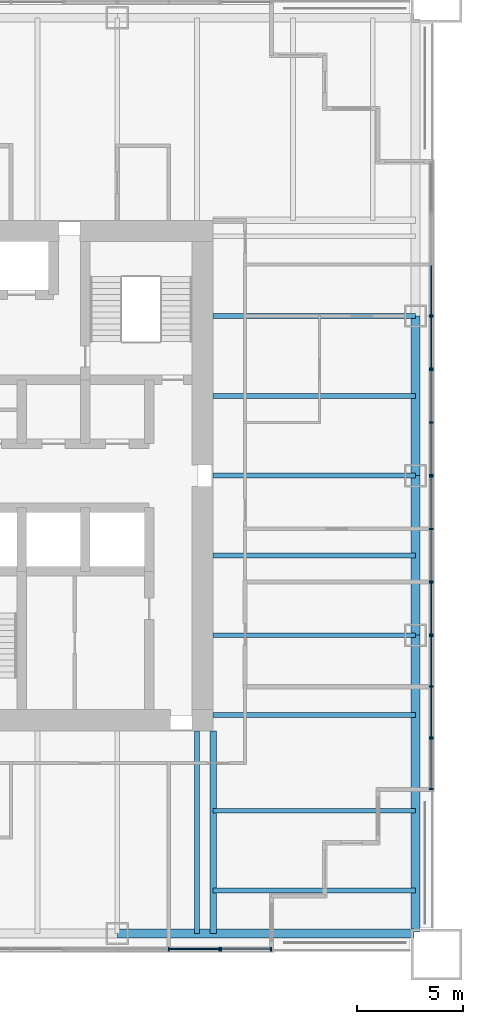
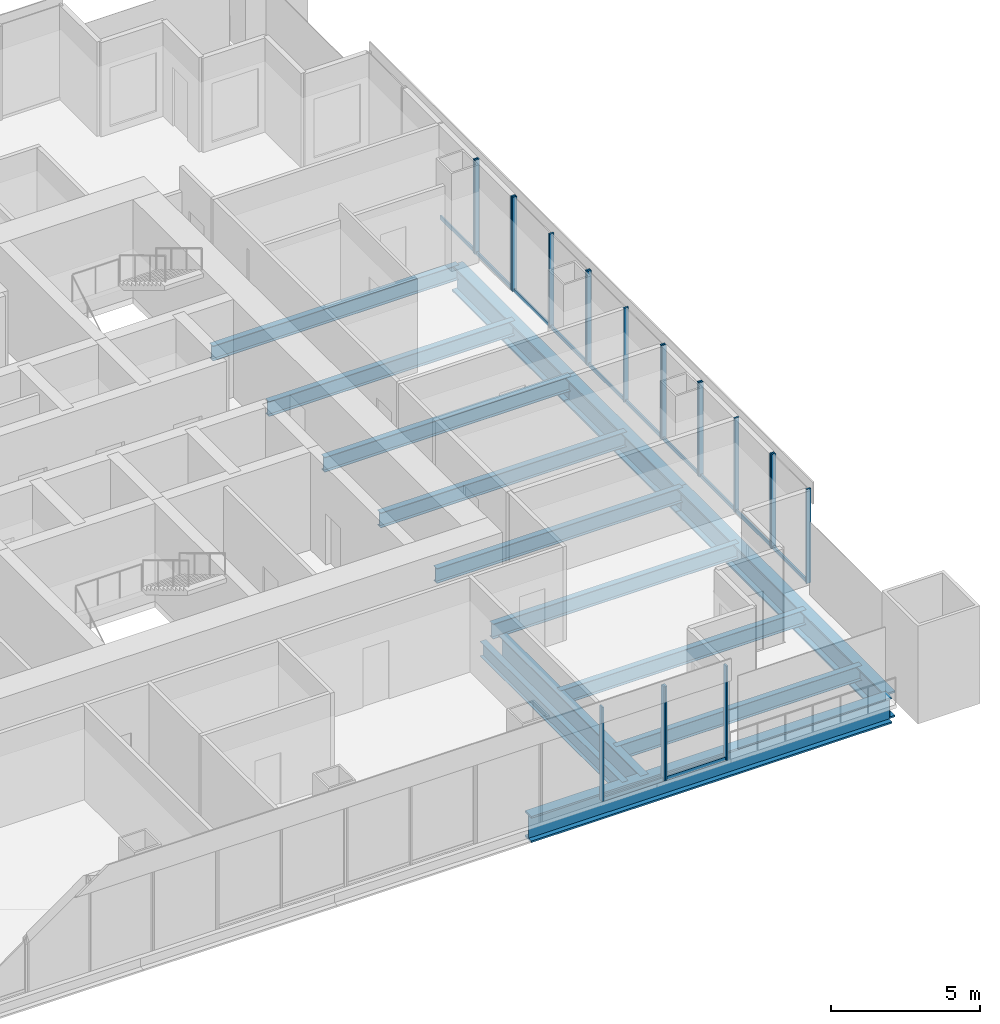
# One storey, part 4 of 13: 32 members, 14 beams, 9 elements without a shape of their own.
"""IFC4 building model written with IfcOpenShell, lengths in metres."""

from ifc_helpers import new_model, si_unit, direction, frame, origin, origin_2d, place, context, subcontext, project, spatial, rectangle, i_section, extrude, material, material_profile, profile_set, type_object, element, aggregate, save


model = new_model("IFC4")

# Units and contexts
model_context = context("Model", 3, precision=1e-05, world=origin(), true_north=direction((0.0, 1.0)))
body_context = subcontext(model_context, "Body", "Model", "MODEL_VIEW")
ifc_project = project(units=[si_unit("LENGTHUNIT", "METRE"), si_unit("AREAUNIT", "SQUARE_METRE"), si_unit("VOLUMEUNIT", "CUBIC_METRE"), si_unit("PLANEANGLEUNIT", "RADIAN"), si_unit("MASSUNIT", "GRAM", prefix="KILO")], contexts=[model_context])

# Site, building, storey
site_placement = place(None, origin())
site = spatial("IfcSite", under=ifc_project, at=site_placement, CompositionType="ELEMENT")
building_placement = place(site_placement, origin())
building = spatial("IfcBuilding", under=site, at=building_placement, Name="Tarangal Relay Tower", CompositionType="ELEMENT")
storey_placement = place(building_placement, frame((0.0, 0.0, 201.89990234375)))
storey = spatial("IfcBuildingStorey", under=building, at=storey_placement, Name="L42", CompositionType="ELEMENT", Elevation=201.89990234375)

# Beams
ifc_material_1 = material(Name="Steel ASTM A992", Category="steel")
ifc_material_profile_1 = material_profile(ifc_material_1, i_section(OverallWidth=0.227783203125, OverallDepth=0.60205078125, WebThickness=0.010498046875, FlangeThickness=0.014892578125, at=origin_2d()), Name="W24X68")
ifc_profile_set_1 = profile_set([ifc_material_profile_1], Name="Steel ASTM A992")
beam_type_1 = type_object("IfcBeamType", Name="Corner beam W24X68", PredefinedType="JOIST", material=ifc_profile_set_1)
for number, where, z_axis, x_axis, name in (
    (1, (12.0, -15.75, -0.450927734375), (1.0, 0.0, 0.0), (0.0, 1.0, 0.0), "Corner beam CB11 E L42"),
    (2, (12.0, -19.5, -0.450927734375), (1.0, 0.0, 0.0), (0.0, 1.0, 0.0), "Corner beam CB11 E L42"),
):
    element("IfcBeam", number, at=place(storey_placement, frame(where, z_axis=z_axis, x_axis=x_axis)), inside=storey, type_object=beam_type_1, Name=name, PredefinedType="JOIST", context=body_context, shape_type="SweptSolid", body=[
        extrude(i_section(OverallWidth=0.227783203125, OverallDepth=0.60205078125, WebThickness=0.010498046875, FlangeThickness=0.014892578125, at=origin_2d()), origin(), (0.0, 0.0, 1.0), 9.514892578125),
    ])
ifc_material_profile_2 = material_profile(ifc_material_1, i_section(OverallWidth=0.307373046875, OverallDepth=0.9423828125, WebThickness=0.022216796875, FlangeThickness=0.039794921875, at=origin_2d()), Name="W36X232")
ifc_profile_set_2 = profile_set([ifc_material_profile_2], Name="Steel ASTM A992")
beam_type_2 = type_object("IfcBeamType", Name="Corner girder W36X232", PredefinedType="BEAM", material=ifc_profile_set_2)
beam_placement = place(storey_placement, frame((12.0, -12.0, -0.62109375), z_axis=(0.0, -1.0, 0.0), x_axis=(1.0, 0.0, 0.0)))
element("IfcBeam", 3, at=beam_placement, inside=storey, type_object=beam_type_2, Name="Corner girder CG4 E L42", PredefinedType="BEAM", context=body_context, shape_type="SweptSolid", body=[
    extrude(i_section(OverallWidth=0.307373046875, OverallDepth=0.9423828125, WebThickness=0.022216796875, FlangeThickness=0.039794921875, at=origin_2d()), origin(), (0.0, 0.0, 1.0), 9.514892578125),
])
ifc_material_profile_3 = material_profile(ifc_material_1, i_section(OverallWidth=0.41650390625, OverallDepth=1.0693359375, WebThickness=0.0390625, FlangeThickness=0.070068359375, at=origin_2d()), Name="W40X503")
ifc_profile_set_3 = profile_set([ifc_material_profile_3], Name="Steel ASTM A992")
beam_type_3 = type_object("IfcBeamType", Name="Edge girder W40X503", PredefinedType="SPANDREL", material=ifc_profile_set_3)
for number, where, z_axis, x_axis, name in (
    (4, (21.514892578125, 7.5, -0.6845703125), (0.0, -1.0, 0.0), (1.0, 0.0, 0.0), "Edge girder EG8 E L42"),
    (5, (21.514892578125, 0.0, -0.6845703125), (0.0, -1.0, 0.0), (1.0, 0.0, 0.0), "Edge girder EG8 E L42"),
):
    element("IfcBeam", number, at=place(storey_placement, frame(where, z_axis=z_axis, x_axis=x_axis)), inside=storey, type_object=beam_type_3, Name=name, PredefinedType="SPANDREL", context=body_context, shape_type="SweptSolid", body=[
        extrude(i_section(OverallWidth=0.41650390625, OverallDepth=1.0693359375, WebThickness=0.0390625, FlangeThickness=0.070068359375, at=origin_2d()), origin(), (0.0, 0.0, 1.0), 7.5),
    ])
for number, where, z_axis, x_axis, name in (
    (6, (21.514892578125, -7.5, -0.6845703125), (0.0, -1.0, 0.0), (1.0, 0.0, 0.0), "Edge girder EG8 E L42"),
    (7, (21.449951171875, -21.514892578125, -0.6845703125), (-1.0, 0.0, 0.0), (0.0, -1.0, 0.0), "Edge girder EG8 S L42"),
):
    element("IfcBeam", number, at=place(storey_placement, frame(where, z_axis=z_axis, x_axis=x_axis)), inside=storey, type_object=beam_type_3, Name=name, PredefinedType="SPANDREL", context=body_context, shape_type="SweptSolid", body=[
        extrude(i_section(OverallWidth=0.41650390625, OverallDepth=1.0693359375, WebThickness=0.0390625, FlangeThickness=0.070068359375, at=origin_2d()), origin(), (0.0, 0.0, 1.0), 13.949951171875),
    ])
ifc_material_profile_4 = material_profile(ifc_material_1, i_section(OverallWidth=0.22900390625, OverallDepth=0.612060546875, WebThickness=0.011962890625, FlangeThickness=0.01953125, at=origin_2d()), Name="W24X84")
ifc_profile_set_4 = profile_set([ifc_material_profile_4], Name="Steel ASTM A992")
beam_type_4 = type_object("IfcBeamType", Name="Floor beam W24X84", PredefinedType="BEAM", material=ifc_profile_set_4)
for number, where, z_axis, x_axis, name in (
    (8, (12.0, 7.5, -0.455810546875), (1.0, 0.0, 0.0), (0.0, 1.0, 0.0), "Floor beam RB12 E L42"),
    (9, (12.0, 3.75, -0.455810546875), (1.0, 0.0, 0.0), (0.0, 1.0, 0.0), "Floor beam RB12 E L42"),
    (10, (12.0, 0.0, -0.455810546875), (1.0, 0.0, 0.0), (0.0, 1.0, 0.0), "Floor beam RB12 E L42"),
    (11, (12.0, -3.75, -0.455810546875), (1.0, 0.0, 0.0), (0.0, 1.0, 0.0), "Floor beam RB12 E L42"),
    (12, (12.0, -7.5, -0.455810546875), (1.0, 0.0, 0.0), (0.0, 1.0, 0.0), "Floor beam RB12 E L42"),
    (13, (12.0, -11.25, -0.455810546875), (1.0, 0.0, 0.0), (0.0, 1.0, 0.0), "Floor beam RB12 E L42"),
    (14, (11.25, -12.0, -0.455810546875), (0.0, -1.0, 0.0), (1.0, 0.0, 0.0), "Floor beam RB12 S L42"),
):
    element("IfcBeam", number, at=place(storey_placement, frame(where, z_axis=z_axis, x_axis=x_axis)), inside=storey, type_object=beam_type_4, Name=name, PredefinedType="BEAM", context=body_context, shape_type="SweptSolid", body=[
        extrude(i_section(OverallWidth=0.22900390625, OverallDepth=0.612060546875, WebThickness=0.011962890625, FlangeThickness=0.01953125, at=origin_2d()), origin(), (0.0, 0.0, 1.0), 9.514892578125),
    ])

# Curtain wall, members
ifc_material_2 = material(Name="Unitised curtain wall, dark glass and black aluminium", Category="aluminium")
curtain_wall_type_1 = type_object("IfcCurtainWallType", Name="Curtain wall CW-A", PredefinedType="USERDEFINED", material=ifc_material_2)
curtain_wall_1_placement = place(storey_placement, origin())
curtain_wall_1 = element("IfcCurtainWall", 15, at=curtain_wall_1_placement, inside=storey, type_object=curtain_wall_type_1, Name="Curtain wall CW-A E facade L42", ObjectType="UNITISED CURTAIN WALL", PredefinedType="USERDEFINED")
ifc_material_3 = material(Name="Black anodised aluminium mullion", Category="aluminium")
ifc_material_profile_5 = material_profile(ifc_material_3, rectangle(XDim=0.175048828125, YDim=0.06494140625, at=origin_2d()), Name="CW-AM 65X175")
ifc_profile_set_5 = profile_set([ifc_material_profile_5], Name="Black anodised aluminium mullion")
member_type_1 = type_object("IfcMemberType", Name="Mullion CW-A 65 x 175", PredefinedType="MULLION", material=ifc_profile_set_5)
member_1_placement = place(storey_placement, frame((22.25, 4.967529296875, 0.0), z_axis=(0.0, 0.0, 1.0), x_axis=(1.0, 0.0, 0.0)))
member_1 = element("IfcMember", 16, at=member_1_placement, type_object=member_type_1, Name="CW-A mullion 1", PredefinedType="MULLION", context=body_context, shape_type="SweptSolid", body=[
    extrude(rectangle(XDim=0.175048828125, YDim=0.06494140625, at=origin_2d()), origin(), (0.0, 0.0, 1.0), 3.85009765625),
])
member_2_placement = place(storey_placement, frame((22.25, 2.5, 0.0), z_axis=(0.0, 0.0, 1.0), x_axis=(1.0, 0.0, 0.0)))
member_2 = element("IfcMember", 17, at=member_2_placement, type_object=member_type_1, Name="CW-A mullion 2", PredefinedType="MULLION", context=body_context, shape_type="SweptSolid", body=[
    extrude(rectangle(XDim=0.175048828125, YDim=0.06494140625, at=origin_2d()), origin(), (0.0, 0.0, 1.0), 3.85009765625),
])
member_3_placement = place(storey_placement, frame((22.25, 0.032470703125, 0.0), z_axis=(0.0, 0.0, 1.0), x_axis=(1.0, 0.0, 0.0)))
member_3 = element("IfcMember", 18, at=member_3_placement, type_object=member_type_1, Name="CW-A mullion 3", PredefinedType="MULLION", context=body_context, shape_type="SweptSolid", body=[
    extrude(rectangle(XDim=0.175048828125, YDim=0.06494140625, at=origin_2d()), origin(), (0.0, 0.0, 1.0), 3.85009765625),
])

curtain_wall_2_placement = place(storey_placement, origin())
curtain_wall_2 = element("IfcCurtainWall", 19, at=curtain_wall_2_placement, inside=storey, type_object=curtain_wall_type_1, Name="Curtain wall CW-A E facade L42", ObjectType="UNITISED CURTAIN WALL", PredefinedType="USERDEFINED")
member_4_placement = place(storey_placement, frame((22.25, -0.032470703125, 0.0), z_axis=(0.0, 0.0, 1.0), x_axis=(1.0, 0.0, 0.0)))
member_4 = element("IfcMember", 20, at=member_4_placement, type_object=member_type_1, Name="CW-A mullion 1", PredefinedType="MULLION", context=body_context, shape_type="SweptSolid", body=[
    extrude(rectangle(XDim=0.175048828125, YDim=0.06494140625, at=origin_2d()), origin(), (0.0, 0.0, 1.0), 3.85009765625),
])
member_5_placement = place(storey_placement, frame((22.25, -2.5, 0.0), z_axis=(0.0, 0.0, 1.0), x_axis=(1.0, 0.0, 0.0)))
member_5 = element("IfcMember", 21, at=member_5_placement, type_object=member_type_1, Name="CW-A mullion 2", PredefinedType="MULLION", context=body_context, shape_type="SweptSolid", body=[
    extrude(rectangle(XDim=0.175048828125, YDim=0.06494140625, at=origin_2d()), origin(), (0.0, 0.0, 1.0), 3.85009765625),
])
member_6_placement = place(storey_placement, frame((22.25, -4.967529296875, 0.0), z_axis=(0.0, 0.0, 1.0), x_axis=(1.0, 0.0, 0.0)))
member_6 = element("IfcMember", 22, at=member_6_placement, type_object=member_type_1, Name="CW-A mullion 3", PredefinedType="MULLION", context=body_context, shape_type="SweptSolid", body=[
    extrude(rectangle(XDim=0.175048828125, YDim=0.06494140625, at=origin_2d()), origin(), (0.0, 0.0, 1.0), 3.85009765625),
])

curtain_wall_3_placement = place(storey_placement, origin())
curtain_wall_3 = element("IfcCurtainWall", 23, at=curtain_wall_3_placement, inside=storey, type_object=curtain_wall_type_1, Name="Curtain wall CW-A E facade L42", ObjectType="UNITISED CURTAIN WALL", PredefinedType="USERDEFINED")
member_7_placement = place(storey_placement, frame((22.25, -12.36572265625, 0.0), z_axis=(0.0, 0.0, 1.0), x_axis=(1.0, 0.0, 0.0)))
member_7 = element("IfcMember", 24, at=member_7_placement, type_object=member_type_1, Name="CW-A mullion 1", PredefinedType="MULLION", context=body_context, shape_type="SweptSolid", body=[
    extrude(rectangle(XDim=0.175048828125, YDim=0.06494140625, at=origin_2d()), origin(), (0.0, 0.0, 1.0), 3.85009765625),
])
member_8_placement = place(storey_placement, frame((22.25, -14.717529296875, 0.0), z_axis=(0.0, 0.0, 1.0), x_axis=(1.0, 0.0, 0.0)))
member_8 = element("IfcMember", 25, at=member_8_placement, type_object=member_type_1, Name="CW-A mullion 2", PredefinedType="MULLION", context=body_context, shape_type="SweptSolid", body=[
    extrude(rectangle(XDim=0.175048828125, YDim=0.06494140625, at=origin_2d()), origin(), (0.0, 0.0, 1.0), 3.85009765625),
])

curtain_wall_4_placement = place(storey_placement, origin())
curtain_wall_4 = element("IfcCurtainWall", 26, at=curtain_wall_4_placement, inside=storey, type_object=curtain_wall_type_1, Name="Curtain wall CW-A S facade L42", ObjectType="UNITISED CURTAIN WALL", PredefinedType="USERDEFINED")
member_9_placement = place(storey_placement, frame((14.717529296875, -22.25, 0.0), z_axis=(0.0, 0.0, 1.0), x_axis=(0.0, -1.0, 0.0)))
member_9 = element("IfcMember", 27, at=member_9_placement, type_object=member_type_1, Name="CW-A mullion 1", PredefinedType="MULLION", context=body_context, shape_type="SweptSolid", body=[
    extrude(rectangle(XDim=0.175048828125, YDim=0.06494140625, at=origin_2d()), origin(), (0.0, 0.0, 1.0), 3.85009765625),
])
member_10_placement = place(storey_placement, frame((12.36572265625, -22.25, 0.0), z_axis=(0.0, 0.0, 1.0), x_axis=(0.0, -1.0, 0.0)))
member_10 = element("IfcMember", 28, at=member_10_placement, type_object=member_type_1, Name="CW-A mullion 2", PredefinedType="MULLION", context=body_context, shape_type="SweptSolid", body=[
    extrude(rectangle(XDim=0.175048828125, YDim=0.06494140625, at=origin_2d()), origin(), (0.0, 0.0, 1.0), 3.85009765625),
])

# Curtain wall, member
ifc_material_4 = material(Name="Unitised curtain wall frame, black aluminium, with metal clad infill walls", Category="aluminium")
curtain_wall_type_2 = type_object("IfcCurtainWallType", Name="Curtain wall CW-AO", PredefinedType="USERDEFINED", material=ifc_material_4)
curtain_wall_5_placement = place(storey_placement, origin())
curtain_wall_5 = element("IfcCurtainWall", 29, at=curtain_wall_5_placement, inside=storey, type_object=curtain_wall_type_2, Name="Curtain wall CW-AO E facade L42", ObjectType="UNITISED CURTAIN WALL", PredefinedType="USERDEFINED")
ifc_material_profile_6 = material_profile(ifc_material_3, rectangle(XDim=0.175048828125, YDim=0.06494140625, at=origin_2d()), Name="CW-AOM 65X175")
ifc_profile_set_6 = profile_set([ifc_material_profile_6], Name="Black anodised aluminium mullion")
member_type_2 = type_object("IfcMemberType", Name="Mullion CW-AO 65 x 175", PredefinedType="MULLION", material=ifc_profile_set_6)
member_11_placement = place(storey_placement, frame((22.25, 7.532470703125, 0.0), z_axis=(0.0, 0.0, 1.0), x_axis=(1.0, 0.0, 0.0)))
member_11 = element("IfcMember", 30, at=member_11_placement, type_object=member_type_2, Name="CW-AO mullion 3", PredefinedType="MULLION", context=body_context, shape_type="SweptSolid", body=[
    extrude(rectangle(XDim=0.175048828125, YDim=0.06494140625, at=origin_2d()), origin(), (0.0, 0.0, 1.0), 3.85009765625),
])

# Curtain wall, members
curtain_wall_6_placement = place(storey_placement, origin())
curtain_wall_6 = element("IfcCurtainWall", 31, at=curtain_wall_6_placement, inside=storey, type_object=curtain_wall_type_2, Name="Curtain wall CW-AO E facade L42", ObjectType="UNITISED CURTAIN WALL", PredefinedType="USERDEFINED")
member_12_placement = place(storey_placement, frame((22.25, 7.467529296875, 0.0), z_axis=(0.0, 0.0, 1.0), x_axis=(1.0, 0.0, 0.0)))
member_12 = element("IfcMember", 32, at=member_12_placement, type_object=member_type_2, Name="CW-AO mullion 1", PredefinedType="MULLION", context=body_context, shape_type="SweptSolid", body=[
    extrude(rectangle(XDim=0.175048828125, YDim=0.06494140625, at=origin_2d()), origin(), (0.0, 0.0, 1.0), 3.85009765625),
])
member_13_placement = place(storey_placement, frame((22.25, 5.032470703125, 0.0), z_axis=(0.0, 0.0, 1.0), x_axis=(1.0, 0.0, 0.0)))
member_13 = element("IfcMember", 33, at=member_13_placement, type_object=member_type_2, Name="CW-AO mullion 2", PredefinedType="MULLION", context=body_context, shape_type="SweptSolid", body=[
    extrude(rectangle(XDim=0.175048828125, YDim=0.06494140625, at=origin_2d()), origin(), (0.0, 0.0, 1.0), 3.85009765625),
])

curtain_wall_7_placement = place(storey_placement, origin())
curtain_wall_7 = element("IfcCurtainWall", 34, at=curtain_wall_7_placement, inside=storey, type_object=curtain_wall_type_2, Name="Curtain wall CW-AO E facade L42", ObjectType="UNITISED CURTAIN WALL", PredefinedType="USERDEFINED")
member_14_placement = place(storey_placement, frame((22.25, -5.032470703125, 0.0), z_axis=(0.0, 0.0, 1.0), x_axis=(1.0, 0.0, 0.0)))
member_14 = element("IfcMember", 35, at=member_14_placement, type_object=member_type_2, Name="CW-AO mullion 1", PredefinedType="MULLION", context=body_context, shape_type="SweptSolid", body=[
    extrude(rectangle(XDim=0.175048828125, YDim=0.06494140625, at=origin_2d()), origin(), (0.0, 0.0, 1.0), 3.85009765625),
])
member_15_placement = place(storey_placement, frame((22.25, -7.467529296875, 0.0), z_axis=(0.0, 0.0, 1.0), x_axis=(1.0, 0.0, 0.0)))
member_15 = element("IfcMember", 36, at=member_15_placement, type_object=member_type_2, Name="CW-AO mullion 2", PredefinedType="MULLION", context=body_context, shape_type="SweptSolid", body=[
    extrude(rectangle(XDim=0.175048828125, YDim=0.06494140625, at=origin_2d()), origin(), (0.0, 0.0, 1.0), 3.85009765625),
])

curtain_wall_8_placement = place(storey_placement, origin())
curtain_wall_8 = element("IfcCurtainWall", 37, at=curtain_wall_8_placement, inside=storey, type_object=curtain_wall_type_2, Name="Curtain wall CW-AO E facade L42", ObjectType="UNITISED CURTAIN WALL", PredefinedType="USERDEFINED")
member_16_placement = place(storey_placement, frame((22.25, -7.532470703125, 0.0), z_axis=(0.0, 0.0, 1.0), x_axis=(1.0, 0.0, 0.0)))
member_16 = element("IfcMember", 38, at=member_16_placement, type_object=member_type_2, Name="CW-AO mullion 1", PredefinedType="MULLION", context=body_context, shape_type="SweptSolid", body=[
    extrude(rectangle(XDim=0.175048828125, YDim=0.06494140625, at=origin_2d()), origin(), (0.0, 0.0, 1.0), 3.85009765625),
])
member_17_placement = place(storey_placement, frame((22.25, -9.916748046875, 0.0), z_axis=(0.0, 0.0, 1.0), x_axis=(1.0, 0.0, 0.0)))
member_17 = element("IfcMember", 39, at=member_17_placement, type_object=member_type_2, Name="CW-AO mullion 2", PredefinedType="MULLION", context=body_context, shape_type="SweptSolid", body=[
    extrude(rectangle(XDim=0.175048828125, YDim=0.06494140625, at=origin_2d()), origin(), (0.0, 0.0, 1.0), 3.85009765625),
])
member_18_placement = place(storey_placement, frame((22.25, -12.30078125, 0.0), z_axis=(0.0, 0.0, 1.0), x_axis=(1.0, 0.0, 0.0)))
member_18 = element("IfcMember", 40, at=member_18_placement, type_object=member_type_2, Name="CW-AO mullion 3", PredefinedType="MULLION", context=body_context, shape_type="SweptSolid", body=[
    extrude(rectangle(XDim=0.175048828125, YDim=0.06494140625, at=origin_2d()), origin(), (0.0, 0.0, 1.0), 3.85009765625),
])

curtain_wall_9_placement = place(storey_placement, origin())
curtain_wall_9 = element("IfcCurtainWall", 41, at=curtain_wall_9_placement, inside=storey, type_object=curtain_wall_type_2, Name="Curtain wall CW-AO S facade L42", ObjectType="UNITISED CURTAIN WALL", PredefinedType="USERDEFINED")
member_19_placement = place(storey_placement, frame((12.30078125, -22.25, 0.0), z_axis=(0.0, 0.0, 1.0), x_axis=(0.0, -1.0, 0.0)))
member_19 = element("IfcMember", 42, at=member_19_placement, type_object=member_type_2, Name="CW-AO mullion 1", PredefinedType="MULLION", context=body_context, shape_type="SweptSolid", body=[
    extrude(rectangle(XDim=0.175048828125, YDim=0.06494140625, at=origin_2d()), origin(), (0.0, 0.0, 1.0), 3.85009765625),
])
member_20_placement = place(storey_placement, frame((9.916748046875, -22.25, 0.0), z_axis=(0.0, 0.0, 1.0), x_axis=(0.0, -1.0, 0.0)))
member_20 = element("IfcMember", 43, at=member_20_placement, type_object=member_type_2, Name="CW-AO mullion 2", PredefinedType="MULLION", context=body_context, shape_type="SweptSolid", body=[
    extrude(rectangle(XDim=0.175048828125, YDim=0.06494140625, at=origin_2d()), origin(), (0.0, 0.0, 1.0), 3.85009765625),
])

# Member
ifc_material_5 = material(Name="Black anodised aluminium transom", Category="aluminium")
ifc_material_profile_7 = material_profile(ifc_material_5, rectangle(XDim=0.06494140625, YDim=0.14990234375, at=origin_2d()), Name="CW-AT 65X150")
ifc_profile_set_7 = profile_set([ifc_material_profile_7], Name="Black anodised aluminium transom")
member_type_3 = type_object("IfcMemberType", Name="Transom CW-A 65 x 150", PredefinedType="USERDEFINED", material=ifc_profile_set_7)
member_21_placement = place(storey_placement, frame((22.25, 4.93505859375, 0.03271484375), z_axis=(0.0, -1.0, 0.0), x_axis=(1.0, 0.0, 0.0)))
member_21 = element("IfcMember", 44, at=member_21_placement, type_object=member_type_3, Name="CW-A transom 1.1", ObjectType="TRANSOM", PredefinedType="USERDEFINED", context=body_context, shape_type="SweptSolid", body=[
    extrude(rectangle(XDim=0.06494140625, YDim=0.14990234375, at=origin_2d()), origin(), (0.0, 0.0, 1.0), 2.402587890625),
])

member_22_placement = place(storey_placement, frame((22.25, 2.467529296875, 0.03271484375), z_axis=(0.0, -1.0, 0.0), x_axis=(1.0, 0.0, 0.0)))
member_22 = element("IfcMember", 45, at=member_22_placement, type_object=member_type_3, Name="CW-A transom 2.1", ObjectType="TRANSOM", PredefinedType="USERDEFINED", context=body_context, shape_type="SweptSolid", body=[
    extrude(rectangle(XDim=0.06494140625, YDim=0.14990234375, at=origin_2d()), origin(), (0.0, 0.0, 1.0), 2.402587890625),
])

aggregate(curtain_wall_1, [member_1, member_2, member_3, member_21, member_22])

member_23_placement = place(storey_placement, frame((22.25, -0.06494140625, 0.03271484375), z_axis=(0.0, -1.0, 0.0), x_axis=(1.0, 0.0, 0.0)))
member_23 = element("IfcMember", 46, at=member_23_placement, type_object=member_type_3, Name="CW-A transom 1.1", ObjectType="TRANSOM", PredefinedType="USERDEFINED", context=body_context, shape_type="SweptSolid", body=[
    extrude(rectangle(XDim=0.06494140625, YDim=0.14990234375, at=origin_2d()), origin(), (0.0, 0.0, 1.0), 2.402587890625),
])

member_24_placement = place(storey_placement, frame((22.25, -2.532470703125, 0.03271484375), z_axis=(0.0, -1.0, 0.0), x_axis=(1.0, 0.0, 0.0)))
member_24 = element("IfcMember", 47, at=member_24_placement, type_object=member_type_3, Name="CW-A transom 2.1", ObjectType="TRANSOM", PredefinedType="USERDEFINED", context=body_context, shape_type="SweptSolid", body=[
    extrude(rectangle(XDim=0.06494140625, YDim=0.14990234375, at=origin_2d()), origin(), (0.0, 0.0, 1.0), 2.402587890625),
])

aggregate(curtain_wall_2, [member_4, member_5, member_6, member_23, member_24])

member_25_placement = place(storey_placement, frame((22.25, -12.398193359375, 0.03271484375), z_axis=(0.0, -1.0, 0.0), x_axis=(1.0, 0.0, 0.0)))
member_25 = element("IfcMember", 48, at=member_25_placement, type_object=member_type_3, Name="CW-A transom 1.1", ObjectType="TRANSOM", PredefinedType="USERDEFINED", context=body_context, shape_type="SweptSolid", body=[
    extrude(rectangle(XDim=0.06494140625, YDim=0.14990234375, at=origin_2d()), origin(), (0.0, 0.0, 1.0), 2.286865234375),
])

aggregate(curtain_wall_3, [member_7, member_8, member_25])

member_26_placement = place(storey_placement, frame((14.68505859375, -22.25, 0.03271484375), z_axis=(-1.0, 0.0, 0.0), x_axis=(0.0, -1.0, 0.0)))
member_26 = element("IfcMember", 49, at=member_26_placement, type_object=member_type_3, Name="CW-A transom 1.1", ObjectType="TRANSOM", PredefinedType="USERDEFINED", context=body_context, shape_type="SweptSolid", body=[
    extrude(rectangle(XDim=0.06494140625, YDim=0.14990234375, at=origin_2d()), origin(), (0.0, 0.0, 1.0), 2.286865234375),
])

aggregate(curtain_wall_4, [member_9, member_10, member_26])

ifc_material_profile_8 = material_profile(ifc_material_5, rectangle(XDim=0.06494140625, YDim=0.14990234375, at=origin_2d()), Name="CW-AOT 65X150")
ifc_profile_set_8 = profile_set([ifc_material_profile_8], Name="Black anodised aluminium transom")
member_type_4 = type_object("IfcMemberType", Name="Transom CW-AO 65 x 150", PredefinedType="USERDEFINED", material=ifc_profile_set_8)
member_27_placement = place(storey_placement, frame((22.25, 9.884033203125, 0.03271484375), z_axis=(0.0, -1.0, 0.0), x_axis=(1.0, 0.0, 0.0)))
member_27 = element("IfcMember", 50, at=member_27_placement, type_object=member_type_4, Name="CW-AO transom 2.1", ObjectType="TRANSOM", PredefinedType="USERDEFINED", context=body_context, shape_type="SweptSolid", body=[
    extrude(rectangle(XDim=0.06494140625, YDim=0.14990234375, at=origin_2d()), origin(), (0.0, 0.0, 1.0), 2.319091796875),
])

aggregate(curtain_wall_5, [member_11, member_27])

member_28_placement = place(storey_placement, frame((22.25, 7.43505859375, 0.03271484375), z_axis=(0.0, -1.0, 0.0), x_axis=(1.0, 0.0, 0.0)))
member_28 = element("IfcMember", 51, at=member_28_placement, type_object=member_type_4, Name="CW-AO transom 1.1", ObjectType="TRANSOM", PredefinedType="USERDEFINED", context=body_context, shape_type="SweptSolid", body=[
    extrude(rectangle(XDim=0.06494140625, YDim=0.14990234375, at=origin_2d()), origin(), (0.0, 0.0, 1.0), 2.3701171875),
])

aggregate(curtain_wall_6, [member_12, member_13, member_28])

member_29_placement = place(storey_placement, frame((22.25, -5.06494140625, 0.03271484375), z_axis=(0.0, -1.0, 0.0), x_axis=(1.0, 0.0, 0.0)))
member_29 = element("IfcMember", 52, at=member_29_placement, type_object=member_type_4, Name="CW-AO transom 1.1", ObjectType="TRANSOM", PredefinedType="USERDEFINED", context=body_context, shape_type="SweptSolid", body=[
    extrude(rectangle(XDim=0.06494140625, YDim=0.14990234375, at=origin_2d()), origin(), (0.0, 0.0, 1.0), 2.3701171875),
])

aggregate(curtain_wall_7, [member_14, member_15, member_29])

member_30_placement = place(storey_placement, frame((22.25, -7.56494140625, 0.03271484375), z_axis=(0.0, -1.0, 0.0), x_axis=(1.0, 0.0, 0.0)))
member_30 = element("IfcMember", 53, at=member_30_placement, type_object=member_type_4, Name="CW-AO transom 1.1", ObjectType="TRANSOM", PredefinedType="USERDEFINED", context=body_context, shape_type="SweptSolid", body=[
    extrude(rectangle(XDim=0.06494140625, YDim=0.14990234375, at=origin_2d()), origin(), (0.0, 0.0, 1.0), 2.319091796875),
])

member_31_placement = place(storey_placement, frame((22.25, -9.94921875, 0.03271484375), z_axis=(0.0, -1.0, 0.0), x_axis=(1.0, 0.0, 0.0)))
member_31 = element("IfcMember", 54, at=member_31_placement, type_object=member_type_4, Name="CW-AO transom 2.1", ObjectType="TRANSOM", PredefinedType="USERDEFINED", context=body_context, shape_type="SweptSolid", body=[
    extrude(rectangle(XDim=0.06494140625, YDim=0.14990234375, at=origin_2d()), origin(), (0.0, 0.0, 1.0), 2.319091796875),
])

aggregate(curtain_wall_8, [member_16, member_17, member_18, member_30, member_31])

member_32_placement = place(storey_placement, frame((12.268310546875, -22.25, 0.03271484375), z_axis=(-1.0, 0.0, 0.0), x_axis=(0.0, -1.0, 0.0)))
member_32 = element("IfcMember", 55, at=member_32_placement, type_object=member_type_4, Name="CW-AO transom 1.1", ObjectType="TRANSOM", PredefinedType="USERDEFINED", context=body_context, shape_type="SweptSolid", body=[
    extrude(rectangle(XDim=0.06494140625, YDim=0.14990234375, at=origin_2d()), origin(), (0.0, 0.0, 1.0), 2.319091796875),
])

aggregate(curtain_wall_9, [member_19, member_20, member_32])

save(model, "model.ifc")
